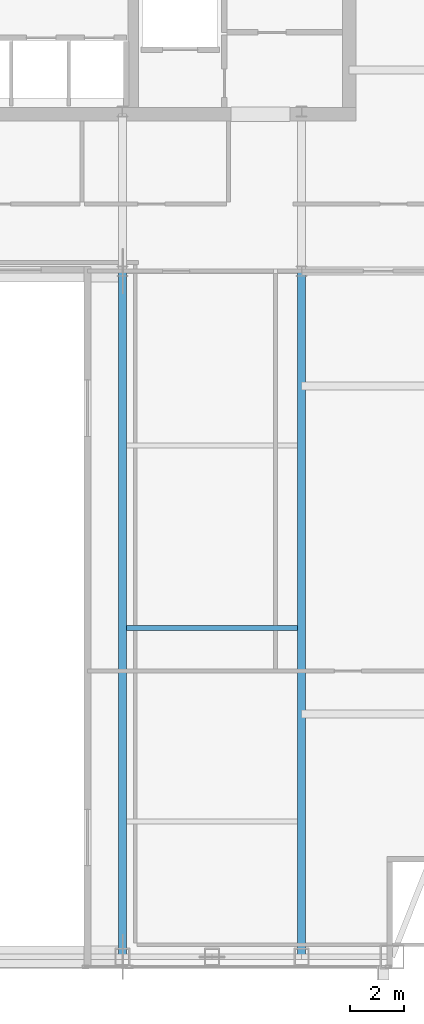
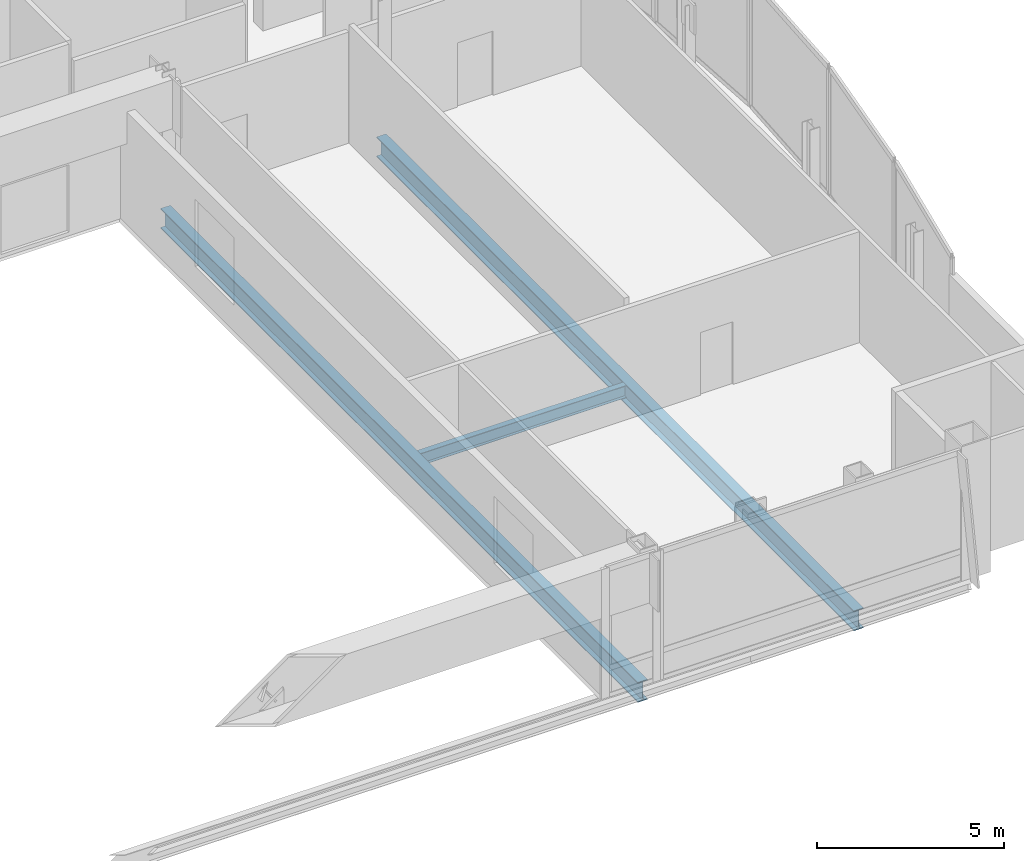
# One storey, part 13 of 27: 3 beams.
"""IFC4 building model written with IfcOpenShell, lengths in metres."""

from ifc_helpers import new_model, si_unit, direction, frame, origin, origin_2d, place, context, subcontext, project, spatial, i_section, extrude, material, material_profile, profile_set, type_object, element, save


model = new_model("IFC4")

# Units and contexts
model_context = context("Model", 3, precision=1e-05, world=origin(), true_north=direction((0.0, 1.0)))
body_context = subcontext(model_context, "Body", "Model", "MODEL_VIEW")
ifc_project = project(units=[si_unit("LENGTHUNIT", "METRE"), si_unit("AREAUNIT", "SQUARE_METRE"), si_unit("VOLUMEUNIT", "CUBIC_METRE"), si_unit("PLANEANGLEUNIT", "RADIAN"), si_unit("MASSUNIT", "GRAM", prefix="KILO")], contexts=[model_context])

# Site, building, storey
site_placement = place(None, origin())
site = spatial("IfcSite", under=ifc_project, at=site_placement, CompositionType="ELEMENT")
building_placement = place(site_placement, origin())
building = spatial("IfcBuilding", under=site, at=building_placement, Name="Khoronbel Lancet Exchange", CompositionType="ELEMENT")
storey_placement = place(building_placement, frame((0.0, 0.0, 310.199951171875)))
storey = spatial("IfcBuildingStorey", under=building, at=storey_placement, Name="L80", CompositionType="ELEMENT", Elevation=310.199951171875)

# Beams
ifc_material = material(Name="Steel S355", Category="steel")
ifc_material_profile_1 = material_profile(ifc_material, i_section(OverallWidth=0.300048828125, OverallDepth=0.64990234375, WebThickness=0.01611328125, FlangeThickness=0.031005859375, at=origin_2d()), Name="HEB 650")
ifc_profile_set_1 = profile_set([ifc_material_profile_1], Name="Steel S355")
beam_type_1 = type_object("IfcBeamType", Name="BM-BG4", PredefinedType="BEAM", material=ifc_profile_set_1)
for number, where, z_axis, x_axis, name in (
    (1, (48.0, 10.14990234375, -0.48486328125), (0.0, 1.0, 0.0), (-1.0, 0.0, 0.0), "Level L80 south primary girder GS5"),
    (2, (54.675048828125, 10.14990234375, -0.48486328125), (0.0, 1.0, 0.0), (-1.0, 0.0, 0.0), "Level L80 south primary girder GS6"),
):
    element("IfcBeam", number, at=place(storey_placement, frame(where, z_axis=z_axis, x_axis=x_axis)), inside=storey, type_object=beam_type_1, Name=name, PredefinedType="BEAM", context=body_context, shape_type="SweptSolid", body=[
        extrude(i_section(OverallWidth=0.300048828125, OverallDepth=0.64990234375, WebThickness=0.01611328125, FlangeThickness=0.031005859375, at=origin_2d()), origin(), (0.0, 0.0, 1.0), 25.550048828125),
    ])
ifc_material_profile_2 = material_profile(ifc_material, i_section(OverallWidth=0.179931640625, OverallDepth=0.39990234375, WebThickness=0.008544921875, FlangeThickness=0.013427734375, at=origin_2d()), Name="IPE 400")
ifc_profile_set_2 = profile_set([ifc_material_profile_2], Name="Steel S355")
beam_type_2 = type_object("IfcBeamType", Name="BM-BJ5", PredefinedType="JOIST", material=ifc_profile_set_2)
beam_placement = place(storey_placement, frame((48.14990234375, 22.39990234375, -0.35986328125), z_axis=(1.0, 0.0, 0.0), x_axis=(0.0, 1.0, 0.0)))
element("IfcBeam", 3, at=beam_placement, inside=storey, type_object=beam_type_2, Name="Level L80 secondary composite joist J04", PredefinedType="JOIST", context=body_context, shape_type="SweptSolid", body=[
    extrude(i_section(OverallWidth=0.179931640625, OverallDepth=0.39990234375, WebThickness=0.008544921875, FlangeThickness=0.013427734375, at=origin_2d()), origin(), (0.0, 0.0, 1.0), 6.375),
])

save(model, "model.ifc")
